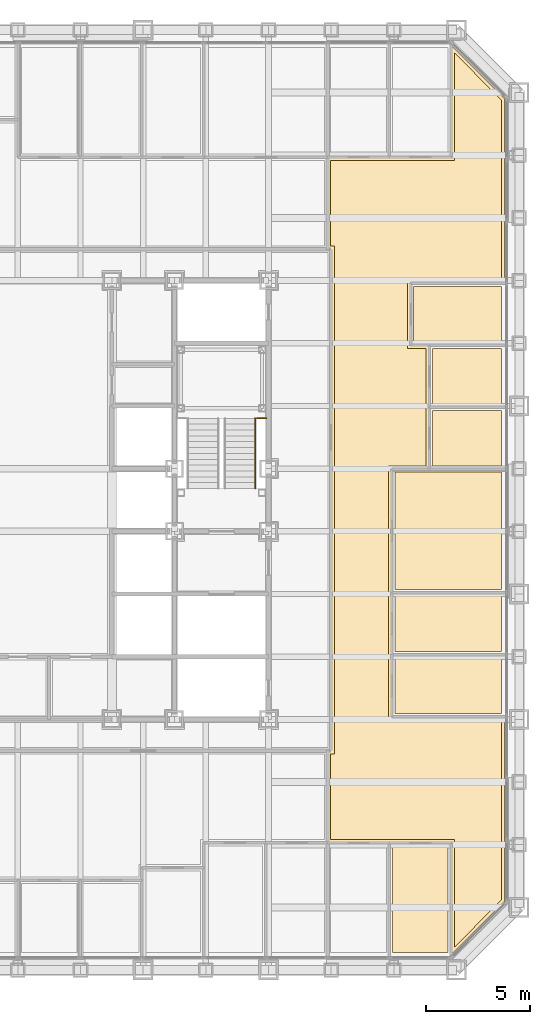
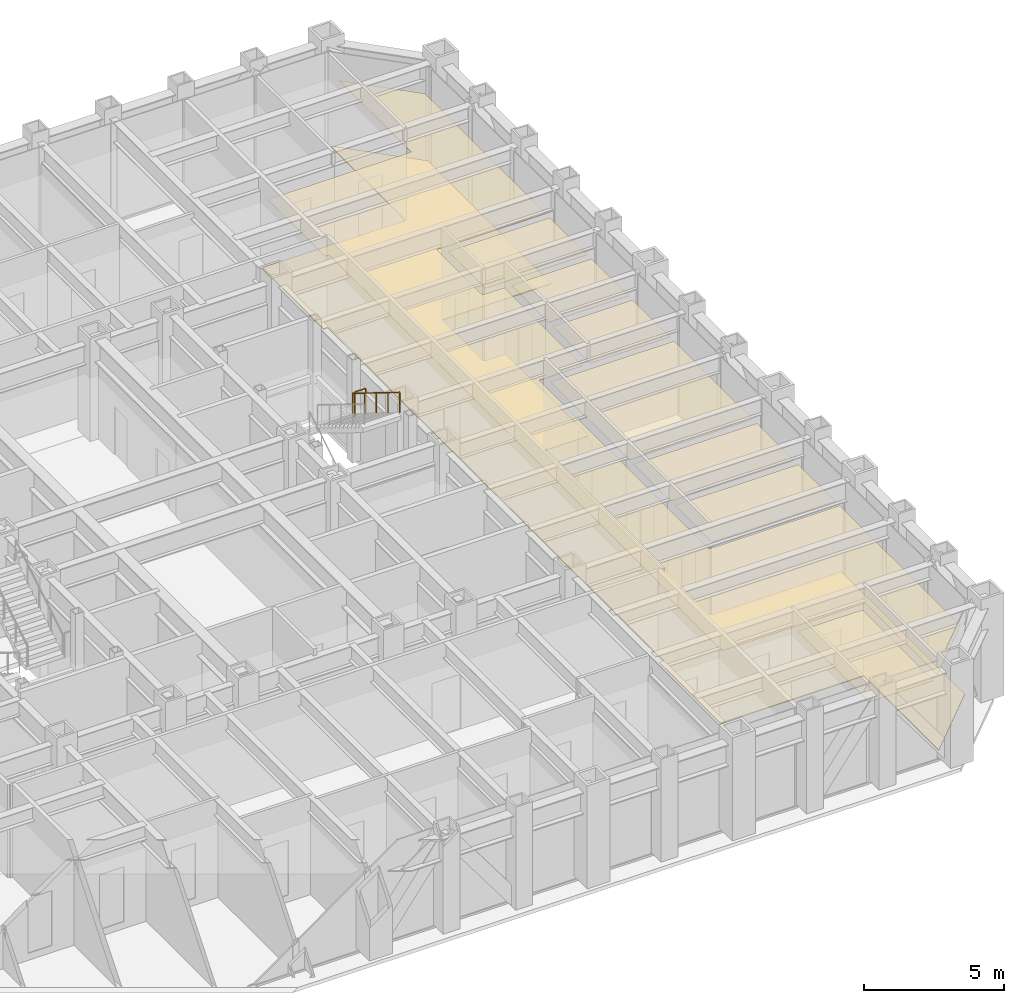
# One storey, part 15 of 16: 9 coverings, 2 railings.
"""IFC4 building model written with IfcOpenShell, lengths in metres."""

import ifcopenshell
import ifcopenshell.guid

model = None  # the IFC model being written
_history = None  # IfcOwnerHistory: only IFC2X3 demands one
_inside = {}  # id of a spatial element -> (the spatial element, [elements in it])
_under = {}  # id of a project, library or spatial element -> (it, [spatial elements below it])
_declared = {}  # id of a project -> (the project, [libraries it declares])
_typed = {}  # id of a type object -> (the type object, [elements of that type])
_made_of = {}  # id of a material, layer set ... -> (it, [elements and type objects made of it])


def new_model(schema):
    """Start an empty IFC model of exactly this schema.

    Asked for "IFC4X3", IfcOpenShell would pick the latest addendum, in which some entities
    have other attributes; the version numbers below select the first issue.
    IFC2X3 requires an IfcOwnerHistory on every rooted entity: one is made here for all.
    """
    global model, _history
    if schema == "IFC4X3":
        model = ifcopenshell.file(schema_version=(4, 3, 0, 0))
    else:
        model = ifcopenshell.file(schema=schema)
    _inside.clear()
    _under.clear()
    _declared.clear()
    _typed.clear()
    _made_of.clear()
    _history = None
    if model.schema == "IFC2X3":
        org = make("IfcOrganization", Name="unknown")
        user = make(
            "IfcPersonAndOrganization",
            ThePerson=make("IfcPerson", FamilyName="unknown"),
            TheOrganization=org,
        )
        app = make(
            "IfcApplication",
            ApplicationDeveloper=org,
            Version="unknown",
            ApplicationFullName="unknown",
            ApplicationIdentifier="unknown",
        )
        _history = make(
            "IfcOwnerHistory",
            OwningUser=user,
            OwningApplication=app,
            ChangeAction="ADDED",
            CreationDate=0,
        )
    return model


def make(cls, **values):
    """One entity of the class cls with the attributes given. An attribute that is None is left unset."""
    return model.create_entity(
        cls, **{name: value for name, value in values.items() if value is not None}
    )


def rooted(cls, **values):
    """An entity with a GlobalId (a new one), such as an element, a storey or a relation."""
    return make(cls, GlobalId=ifcopenshell.guid.new(), OwnerHistory=_history, **values)


def si_unit(unit_type, name, prefix=None):
    """IfcSIUnit, for example si_unit("LENGTHUNIT", "METRE", prefix="MILLI")."""
    return make("IfcSIUnit", UnitType=unit_type, Prefix=prefix, Name=name)


def assignment(units):
    """IfcUnitAssignment: the units of a project."""
    return None if units is None else make("IfcUnitAssignment", Units=units)


def point(xyz):
    """IfcCartesianPoint."""
    return None if xyz is None else make("IfcCartesianPoint", Coordinates=xyz)


def direction(xyz):
    """IfcDirection."""
    return None if xyz is None else make("IfcDirection", DirectionRatios=xyz)


def frame(location, z_axis=None, x_axis=None):
    """IfcAxis2Placement3D, a coordinate frame: its origin and axes. An axis left out is left unset."""
    return make(
        "IfcAxis2Placement3D",
        Location=point(location),
        Axis=direction(z_axis),
        RefDirection=direction(x_axis),
    )


def frame_2d(location, x_axis=None):
    """IfcAxis2Placement2D, a coordinate frame in the plane: its origin and x axis."""
    return make(
        "IfcAxis2Placement2D", Location=point(location), RefDirection=direction(x_axis)
    )


def origin():
    """The frame at (0, 0, 0) with its axes left unset."""
    return frame((0.0, 0.0, 0.0))


def origin_2d():
    """The frame at (0, 0) in the plane with its x axis left unset."""
    return frame_2d((0.0, 0.0))


def place(relative_to, where):
    """IfcLocalPlacement: puts the frame where relative to a parent placement (None: the world)."""
    return make(
        "IfcLocalPlacement", PlacementRelTo=relative_to, RelativePlacement=where
    )


def context(
    kind, dimensions, precision=None, world=None, true_north=None, identifier=None
):
    """IfcGeometricRepresentationContext, for example the 3D "Model" context."""
    return make(
        "IfcGeometricRepresentationContext",
        ContextIdentifier=identifier,
        ContextType=kind,
        CoordinateSpaceDimension=dimensions,
        Precision=precision,
        WorldCoordinateSystem=world,
        TrueNorth=true_north,
    )


def subcontext(parent, identifier, kind, view, scale=None):
    """IfcGeometricRepresentationSubContext, for example "Body" below "Model"."""
    return make(
        "IfcGeometricRepresentationSubContext",
        ContextIdentifier=identifier,
        ContextType=kind,
        ParentContext=parent,
        TargetScale=scale,
        TargetView=view,
    )


def project(units=None, contexts=None):
    """IfcProject with its units and contexts."""
    return rooted(
        "IfcProject",
        Name="project",
        RepresentationContexts=contexts,
        UnitsInContext=assignment(units),
    )


def spatial(cls, under=None, at=None, **own):
    """A site, building, storey or space (cls), placed at a placement, below another one or the project."""
    s = rooted(cls, ObjectPlacement=at, **own)
    if under is not None:
        _under.setdefault(under.id(), (under, []))[1].append(s)
    return s


def polyline(points):
    """IfcPolyline through the points."""
    return make("IfcPolyline", Points=[point(p) for p in points])


def profile(cls, at=None, kind="AREA", **sizes):
    """A parametric profile (cls). Its sizes go by their IFC names, for example OverallWidth=200.0."""
    return make(cls, ProfileType=kind, Position=at, **sizes)


def circle(**sizes):
    """IfcCircleProfileDef."""
    return profile("IfcCircleProfileDef", **sizes)


def outline(outer, holes=None, kind="AREA"):
    """IfcArbitraryClosedProfileDef: a profile drawn as a closed curve; with holes, ...WithVoids."""
    if holes is None:
        return make("IfcArbitraryClosedProfileDef", ProfileType=kind, OuterCurve=outer)
    return make(
        "IfcArbitraryProfileDefWithVoids",
        ProfileType=kind,
        OuterCurve=outer,
        InnerCurves=holes,
    )


def extrude(swept, where, along, depth):
    """IfcExtrudedAreaSolid: the profile swept, set in the frame where, extruded along a direction by depth."""
    return make(
        "IfcExtrudedAreaSolid",
        SweptArea=swept,
        Position=where,
        ExtrudedDirection=direction(along),
        Depth=depth,
    )


def shape(context_of_items, identifier, shape_type, items):
    """IfcShapeRepresentation: the items that make up one representation, for example the "Body"."""
    return make(
        "IfcShapeRepresentation",
        ContextOfItems=context_of_items,
        RepresentationIdentifier=identifier,
        RepresentationType=shape_type,
        Items=items,
    )


def material(Name=None, Category=None):
    """IfcMaterial."""
    return make("IfcMaterial", Name=Name, Category=Category)


def layer(
    of_material, thickness, ventilated=None, Name=None, Category=None, Priority=None
):
    """IfcMaterialLayer: one layer of a wall or slab, of a material (None: an air gap)."""
    return make(
        "IfcMaterialLayer",
        Material=of_material,
        LayerThickness=thickness,
        IsVentilated=ventilated,
        Name=Name,
        Category=Category,
        Priority=Priority,
    )


def layer_set(layers, Name=None):
    """IfcMaterialLayerSet."""
    return make("IfcMaterialLayerSet", MaterialLayers=layers, LayerSetName=Name)


def made_of(thing, what):
    """Note that an element or type object is made of a material, layer set ...; save() writes the relation."""
    if what is not None:
        _made_of.setdefault(what.id(), (what, []))[1].append(thing)
    return thing


def type_object(cls, material=None, **own):
    """A type object (cls), such as IfcWallType, which elements share."""
    return made_of(rooted(cls, **own), material)


def element(
    cls,
    number,
    at=None,
    inside=None,
    cuts=None,
    type_object=None,
    material=None,
    context=None,
    identifier="Body",
    shape_type=None,
    held_by="IfcProductDefinitionShape",
    body=None,
    shapes=None,
    **own,
):
    """One element of the class cls, such as IfcWall. Its Tag is "e" and its number.

    at: its placement. inside: the storey or other place that contains it. cuts: it is an
    opening in that element (IfcRelVoidsElement). A single representation is given by context,
    identifier, shape_type and body (its items); several are given by shapes. held_by: the class
    of the entity that holds the representations. save() writes the other relations.
    """
    e = rooted(cls, Tag="e%d" % number, ObjectPlacement=at, **own)
    if body is not None:
        shapes = [shape(context, identifier, shape_type, body)]
    if shapes is not None:
        e.Representation = make(held_by, Representations=shapes)
    if inside is not None:
        _inside.setdefault(inside.id(), (inside, []))[1].append(e)
    if cuts is not None:
        rooted(
            "IfcRelVoidsElement", RelatingBuildingElement=cuts, RelatedOpeningElement=e
        )
    if type_object is not None:
        _typed.setdefault(type_object.id(), (type_object, []))[1].append(e)
    return made_of(e, material)


def aggregate(whole, parts):
    """IfcRelAggregates: a whole, such as a stair, and the parts it consists of."""
    return rooted("IfcRelAggregates", RelatingObject=whole, RelatedObjects=parts)


def save(model, path):
    """Write the relations noted so far, then the file.

    IfcRelAggregates (storeys below a building ...), IfcRelContainedInSpatialStructure (elements
    in a storey), IfcRelDefinesByType, IfcRelAssociatesMaterial and IfcRelDeclares: one each for
    every whole, place, type object, material and project.
    """
    for whole, parts in _under.values():
        aggregate(whole, parts)
    for where, things in _inside.values():
        rooted(
            "IfcRelContainedInSpatialStructure",
            RelatedElements=things,
            RelatingStructure=where,
        )
    for kind, things in _typed.values():
        rooted("IfcRelDefinesByType", RelatedObjects=things, RelatingType=kind)
    for what, things in _made_of.values():
        rooted("IfcRelAssociatesMaterial", RelatedObjects=things, RelatingMaterial=what)
    for by, libraries in _declared.values():
        rooted("IfcRelDeclares", RelatingContext=by, RelatedDefinitions=libraries)
    model.write(path)


model = new_model("IFC4")

# Units and contexts
model_context = context("Model", 3, precision=1e-05, world=origin(), true_north=direction((0.0, 1.0)))
body_context = subcontext(model_context, "Body", "Model", "MODEL_VIEW")
ifc_project = project(units=[si_unit("LENGTHUNIT", "METRE"), si_unit("AREAUNIT", "SQUARE_METRE"), si_unit("VOLUMEUNIT", "CUBIC_METRE"), si_unit("PLANEANGLEUNIT", "RADIAN"), si_unit("MASSUNIT", "GRAM", prefix="KILO")], contexts=[model_context])

# Site, building, storey
site_placement = place(None, origin())
site = spatial("IfcSite", under=ifc_project, at=site_placement, CompositionType="ELEMENT")
building_placement = place(site_placement, origin())
building = spatial("IfcBuilding", under=site, at=building_placement, Name="Chuquiago Exchange Tower", CompositionType="ELEMENT")
storey_placement = place(building_placement, frame((0.0, 0.0, 78.300048828125)))
storey = spatial("IfcBuildingStorey", under=building, at=storey_placement, Name="L16", CompositionType="ELEMENT", Elevation=78.300048828125)

# Coverings
ifc_material_1 = material(Name="Mineral fibre tile, 600 x 600, on pale metal grid", Category="mineral fibre")
ifc_layer_1 = layer(ifc_material_1, 0.02001953125)
ifc_layer_set_1 = layer_set([ifc_layer_1], Name="CL1 suspended tile ceiling 20")
covering_type_1 = type_object("IfcCoveringType", Name="CL1 suspended tile ceiling 20", PredefinedType="CEILING", material=ifc_layer_set_1)
covering_1_placement = place(storey_placement, frame((0.0, 0.0, 3.0)))
element("IfcCovering", 1, at=covering_1_placement, inside=storey, type_object=covering_type_1, Name="Ceiling Office", PredefinedType="CEILING", context=body_context, shape_type="SweptSolid", body=[
    extrude(outline(polyline([(38.939697265625, 0.85009765625), (38.939697265625, 5.949951171875), (41.6015625, 5.949951171875), (41.6015625, 0.85009765625), (38.939697265625, 0.85009765625)])), origin(), (0.0, 0.0, 1.0), 0.02001953125),
])
covering_2_placement = place(storey_placement, frame((0.0, 0.0, 3.0)))
element("IfcCovering", 2, at=covering_2_placement, inside=storey, type_object=covering_type_1, Name="Ceiling Office", PredefinedType="CEILING", context=body_context, shape_type="SweptSolid", body=[
    extrude(outline(polyline([(39.050048828125, 12.28369140625), (39.050048828125, 14.945556640625), (44.14990234375, 14.945556640625), (44.14990234375, 12.28369140625), (39.050048828125, 12.28369140625)])), origin(), (0.0, 0.0, 1.0), 0.02001953125),
])
covering_3_placement = place(storey_placement, frame((0.0, 0.0, 3.0)))
element("IfcCovering", 3, at=covering_3_placement, inside=storey, type_object=covering_type_1, Name="Ceiling Office", PredefinedType="CEILING", context=body_context, shape_type="SweptSolid", body=[
    extrude(outline(polyline([(39.050048828125, 15.24560546875), (39.050048828125, 17.907470703125), (44.14990234375, 17.907470703125), (44.14990234375, 15.24560546875), (39.050048828125, 15.24560546875)])), origin(), (0.0, 0.0, 1.0), 0.02001953125),
])
covering_4_placement = place(storey_placement, frame((0.0, 0.0, 3.0)))
element("IfcCovering", 4, at=covering_4_placement, inside=storey, type_object=covering_type_1, Name="Ceiling Meeting room", PredefinedType="CEILING", context=body_context, shape_type="SweptSolid", body=[
    extrude(outline(polyline([(39.050048828125, 18.20751953125), (39.050048828125, 23.830810546875), (44.14990234375, 23.830810546875), (44.14990234375, 18.20751953125), (39.050048828125, 18.20751953125)])), origin(), (0.0, 0.0, 1.0), 0.02001953125),
])
covering_5_placement = place(storey_placement, frame((0.0, 0.0, 3.0)))
element("IfcCovering", 5, at=covering_5_placement, inside=storey, type_object=covering_type_1, Name="Ceiling Focus room", PredefinedType="CEILING", context=body_context, shape_type="SweptSolid", body=[
    extrude(outline(polyline([(40.85009765625, 24.130859375), (40.85009765625, 26.79248046875), (44.14990234375, 26.79248046875), (44.14990234375, 24.130859375), (40.85009765625, 24.130859375)])), origin(), (0.0, 0.0, 1.0), 0.02001953125),
])
covering_6_placement = place(storey_placement, frame((0.0, 0.0, 3.0)))
element("IfcCovering", 6, at=covering_6_placement, inside=storey, type_object=covering_type_1, Name="Ceiling Focus room", PredefinedType="CEILING", context=body_context, shape_type="SweptSolid", body=[
    extrude(outline(polyline([(40.85009765625, 27.092529296875), (40.85009765625, 29.75439453125), (44.14990234375, 29.75439453125), (44.14990234375, 27.092529296875), (40.85009765625, 27.092529296875)])), origin(), (0.0, 0.0, 1.0), 0.02001953125),
])
covering_7_placement = place(storey_placement, frame((0.0, 0.0, 3.0)))
element("IfcCovering", 7, at=covering_7_placement, inside=storey, type_object=covering_type_1, Name="Ceiling Comms room", PredefinedType="CEILING", context=body_context, shape_type="SweptSolid", body=[
    extrude(outline(polyline([(39.949951171875, 30.054443359375), (39.949951171875, 32.71630859375), (44.14990234375, 32.71630859375), (44.14990234375, 30.054443359375), (39.949951171875, 30.054443359375)])), origin(), (0.0, 0.0, 1.0), 0.02001953125),
])
covering_8_placement = place(storey_placement, frame((0.0, 0.0, 3.0)))
element("IfcCovering", 8, at=covering_8_placement, inside=storey, type_object=covering_type_1, Name="Ceiling Trading floor east suite", PredefinedType="CEILING", context=body_context, shape_type="SweptSolid", body=[
    extrude(outline(polyline([(41.901611328125, 38.75), (41.901611328125, 43.896484375), (44.14990234375, 41.64794921875), (44.14990234375, 33.01611328125), (39.64990234375, 33.01611328125), (39.64990234375, 29.75439453125), (40.550048828125, 29.75439453125), (40.550048828125, 24.130859375), (38.75, 24.130859375), (38.75, 11.98388671875), (44.14990234375, 11.98388671875), (44.14990234375, 3.35205078125), (41.901611328125, 1.103515625), (41.901611328125, 6.25), (35.978515625, 6.25), (35.978515625, 10.349853515625), (36.150390625, 10.350341796875), (36.150390625, 34.649658203125), (35.978515625, 34.650146484375), (35.978515625, 38.75), (41.901611328125, 38.75)])), origin(), (0.0, 0.0, 1.0), 0.02001953125),
])

# Railings
ifc_material_2 = material(Name="Pale metal guard with safety glass infill", Category="glass")
railing_type_1 = type_object("IfcRailingType", Name="GR1 guard 1100", PredefinedType="GUARDRAIL", material=ifc_material_2)
railing_1_placement = place(storey_placement, frame((32.445068359375, 26.409912109375, 2.25)))
element("IfcRailing", 9, at=railing_1_placement, inside=storey, type_object=railing_type_1, Name="Guard ST2 L16 landing 2", PredefinedType="GUARDRAIL", context=body_context, shape_type="SweptSolid", body=[
    extrude(circle(Radius=0.02392578125, at=origin_2d()), frame((0.0, 0.0, 1.076171875), z_axis=(1.0, 0.0, 0.0), x_axis=(0.0, 1.0, 0.0)), (0.0, 0.0, 1.0), 0.454833984375),
    extrude(circle(Radius=0.02099609375, at=origin_2d()), origin(), (0.0, 0.0, 1.0), 1.052001953125),
    extrude(circle(Radius=0.02099609375, at=origin_2d()), frame((0.454833984375, 0.0, 0.0)), (0.0, 0.0, 1.0), 1.052001953125),
])
ifc_material_3 = material(Name="Pale metal handrail", Category="steel")
railing_type_2 = type_object("IfcRailingType", Name="HR1 handrail 900", PredefinedType="HANDRAIL", material=ifc_material_3)
railing_2_placement = place(storey_placement, frame((32.364990234375, 26.409912109375, 2.423095703125)))
element("IfcRailing", 10, at=railing_2_placement, inside=storey, type_object=railing_type_2, Name="Handrail ST2 L16 flight 2", PredefinedType="HANDRAIL", context=body_context, shape_type="SweptSolid", body=[
    extrude(circle(Radius=0.02392578125, at=origin_2d()), frame((0.0, 0.0, 0.8759765625), z_axis=(0.0, -0.850606129759, 0.525803396734), x_axis=(1.0, 0.0, 0.0)), (0.0, 0.0, 1.0), 3.949951171875),
    extrude(circle(Radius=0.02099609375, at=origin_2d()), origin(), (0.0, 0.0, 1.0), 0.851806640625),
    extrude(circle(Radius=0.02099609375, at=origin_2d()), frame((0.0, -0.83984375, 0.519287109375)), (0.0, 0.0, 1.0), 0.851806640625),
    extrude(circle(Radius=0.02099609375, at=origin_2d()), frame((0.0, -1.679931640625, 1.03857421875)), (0.0, 0.0, 1.0), 0.851806640625),
    extrude(circle(Radius=0.02099609375, at=origin_2d()), frame((0.0, -2.52001953125, 1.5576171875)), (0.0, 0.0, 1.0), 0.851806640625),
    extrude(circle(Radius=0.02099609375, at=origin_2d()), frame((0.0, -3.35986328125, 2.076904296875)), (0.0, 0.0, 1.0), 0.851806640625),
])

# Covering
ifc_material_4 = material(Name="Steel raised floor panel", Category="steel")
ifc_layer_2 = layer(ifc_material_4, 0.0400390625)
ifc_layer_set_2 = layer_set([ifc_layer_2], Name="RF1 raised access floor 40")
covering_type_2 = type_object("IfcCoveringType", Name="RF1 raised access floor 40", PredefinedType="FLOORING", material=ifc_layer_set_2)
covering_9_placement = place(storey_placement, frame((0.0, 0.0, -0.0400390625)))
element("IfcCovering", 11, at=covering_9_placement, inside=storey, type_object=covering_type_2, Name="Raised access floor Trading floor east suite", PredefinedType="FLOORING", context=body_context, shape_type="SweptSolid", body=[
    extrude(outline(polyline([(35.828369140625, 38.89990234375), (41.75146484375, 38.89990234375), (41.75146484375, 44.258544921875), (44.300048828125, 41.710205078125), (44.300048828125, 32.8662109375), (39.800048828125, 32.8662109375), (39.800048828125, 29.904296875), (40.699951171875, 29.904296875), (40.699951171875, 23.98095703125), (38.89990234375, 23.98095703125), (38.89990234375, 12.1337890625), (44.300048828125, 12.1337890625), (44.300048828125, 3.289794921875), (41.75146484375, 0.741455078125), (41.75146484375, 6.10009765625), (35.828369140625, 6.10009765625), (35.828369140625, 10.49951171875), (36.00048828125, 10.5), (36.00048828125, 34.5), (35.828369140625, 34.50048828125), (35.828369140625, 38.89990234375)])), origin(), (0.0, 0.0, 1.0), 0.0400390625),
])

save(model, "model.ifc")
